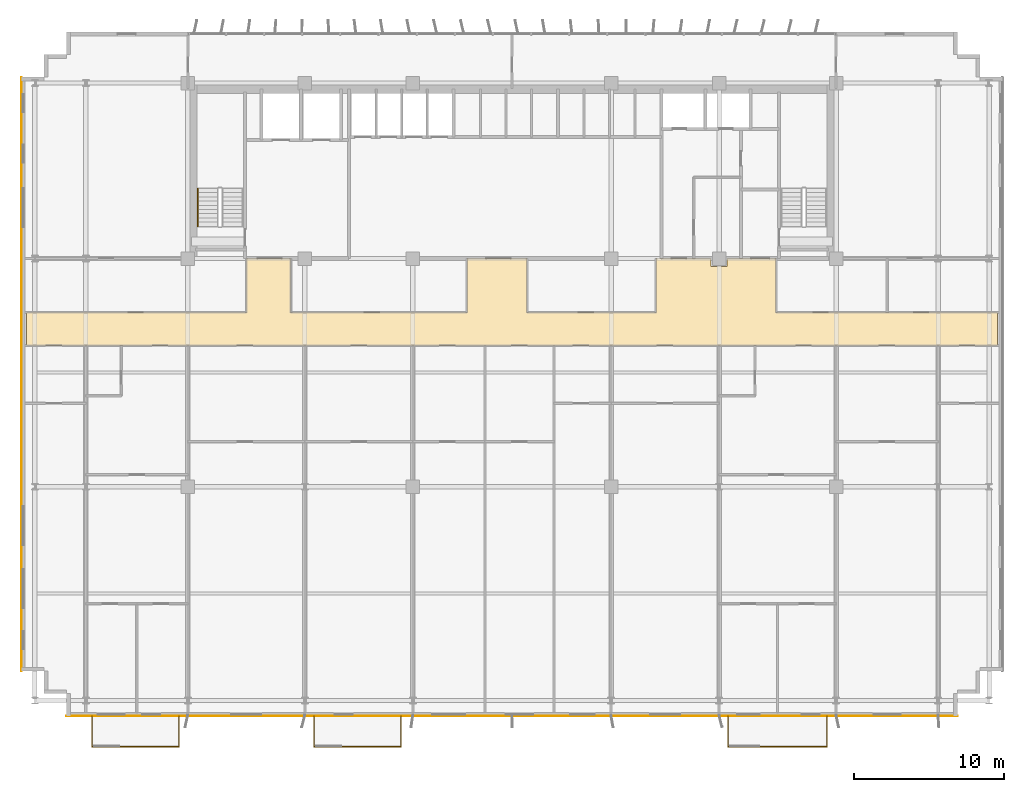
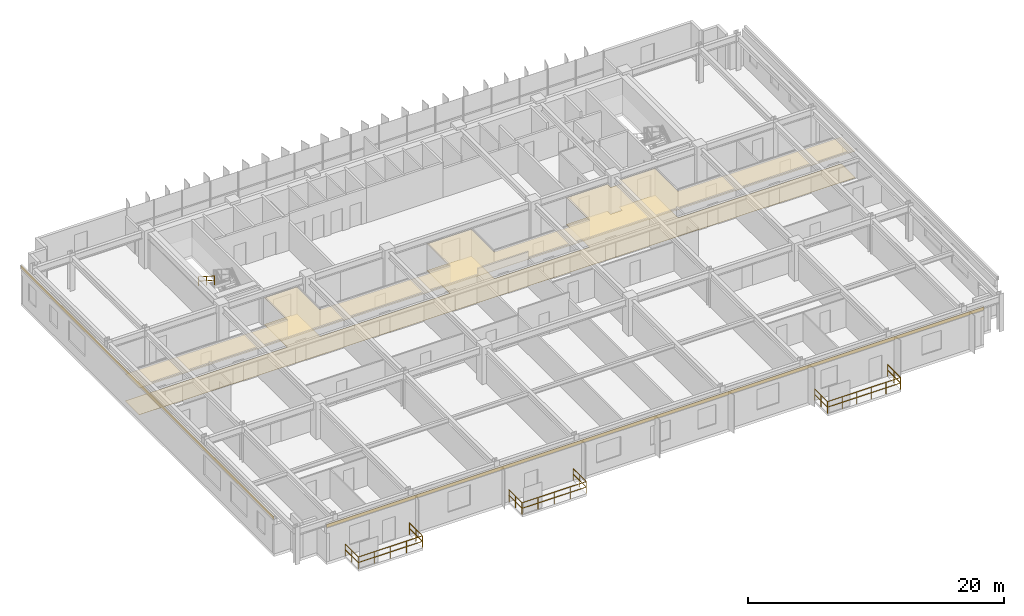
# One storey, part 20 of 22: 10 railings, 4 coverings.
"""IFC4 building model written with IfcOpenShell, lengths in metres."""

from ifc_helpers import new_model, si_unit, direction, frame, origin, origin_2d, place, context, subcontext, project, spatial, polyline, rectangle, outline, extrude, source, transform, mapped, material, layer, layer_set, type_object, element, save


model = new_model("IFC4")

# Units and contexts
model_context = context("Model", 3, precision=1e-05, world=origin(), true_north=direction((0.0, 1.0)))
body_context = subcontext(model_context, "Body", "Model", "MODEL_VIEW")
ifc_project = project(units=[si_unit("LENGTHUNIT", "METRE"), si_unit("AREAUNIT", "SQUARE_METRE"), si_unit("VOLUMEUNIT", "CUBIC_METRE"), si_unit("PLANEANGLEUNIT", "RADIAN"), si_unit("MASSUNIT", "GRAM", prefix="KILO")], contexts=[model_context])

# Site, building, storey
site_placement = place(None, origin())
site = spatial("IfcSite", under=ifc_project, at=site_placement, CompositionType="ELEMENT")
building_placement = place(site_placement, origin())
building = spatial("IfcBuilding", under=site, at=building_placement, Name="Trelvane Seafront Commons", CompositionType="ELEMENT")
storey_placement = place(building_placement, frame((0.0, 0.0, 55.89990234375)))
storey = spatial("IfcBuildingStorey", under=building, at=storey_placement, Name="L14", CompositionType="ELEMENT", Elevation=55.89990234375)

# Coverings
ifc_material_1 = material(Name="Acoustic Mineral Fibre Ceiling")
ifc_layer_1 = layer(ifc_material_1, 0.02490234375, Name="ARCH-COV-CEIL25")
ifc_layer_set_1 = layer_set([ifc_layer_1], Name="Acoustic Mineral Fibre Ceiling")
covering_type_1 = type_object("IfcCoveringType", Name="ARCH-COV-CEIL25", PredefinedType="CEILING", material=ifc_layer_set_1)
covering_1_placement = place(storey_placement, frame((0.0, 0.0, 2.550048828125)))
element("IfcCovering", 1, at=covering_1_placement, inside=storey, type_object=covering_type_1, Name="COV-CEIL-L14-08", PredefinedType="CEILING", context=body_context, shape_type="SweptSolid", body=[
    extrude(outline(polyline([(51.530029296875, 33.39990234375), (51.530029296875, 32.8701171875), (50.469970703125, 32.8701171875), (50.469970703125, 33.39990234375), (46.800048828125, 33.39990234375), (46.800048828125, 29.800048828125), (38.199951171875, 29.800048828125), (38.199951171875, 33.39990234375), (34.199951171875, 33.39990234375), (34.199951171875, 29.800048828125), (22.449951171875, 29.800048828125), (22.449951171875, 33.39990234375), (19.5, 33.39990234375), (19.5, 29.800048828125), (4.85009765625, 29.800048828125), (4.85009765625, 27.60009765625), (69.550048828125, 27.60009765625), (69.550048828125, 29.800048828125), (54.800048828125, 29.800048828125), (54.800048828125, 33.39990234375), (51.530029296875, 33.39990234375)])), origin(), (0.0, 0.0, 1.0), 0.025146484375),
])
ifc_material_2 = material(Name="Polished Terrazzo Finish")
ifc_layer_2 = layer(ifc_material_2, 0.02001953125, Name="ARCH-COV-FLOR20")
ifc_layer_set_2 = layer_set([ifc_layer_2], Name="Polished Terrazzo Finish")
covering_type_2 = type_object("IfcCoveringType", Name="ARCH-COV-FLOR20", PredefinedType="FLOORING", material=ifc_layer_set_2)
covering_2_placement = place(storey_placement, origin())
element("IfcCovering", 2, at=covering_2_placement, inside=storey, type_object=covering_type_2, Name="COV-FLOR-L14-08", PredefinedType="FLOORING", context=body_context, shape_type="SweptSolid", body=[
    extrude(outline(polyline([(51.530029296875, 33.39990234375), (51.530029296875, 32.8701171875), (50.469970703125, 32.8701171875), (50.469970703125, 33.39990234375), (46.800048828125, 33.39990234375), (46.800048828125, 29.800048828125), (38.199951171875, 29.800048828125), (38.199951171875, 33.39990234375), (34.199951171875, 33.39990234375), (34.199951171875, 29.800048828125), (22.449951171875, 29.800048828125), (22.449951171875, 33.39990234375), (19.5, 33.39990234375), (19.5, 29.800048828125), (4.85009765625, 29.800048828125), (4.85009765625, 27.60009765625), (69.550048828125, 27.60009765625), (69.550048828125, 29.800048828125), (54.800048828125, 29.800048828125), (54.800048828125, 33.39990234375), (51.530029296875, 33.39990234375)])), origin(), (0.0, 0.0, 1.0), 0.02001953125),
])

# Railings
ifc_material_3 = material(Name="Stainless steel balustrade", Category="steel")
railing_type_1 = type_object("IfcRailingType", Name="ARCH-RAIL-BAL1150", PredefinedType="BALUSTRADE", material=ifc_material_3)
railing_1_placement = place(storey_placement, frame((9.199951171875, 2.89990234375, 0.0)))
element("IfcRailing", 3, at=railing_1_placement, inside=storey, type_object=railing_type_1, Name="RL-L14-BAL0-01", PredefinedType="BALUSTRADE", context=body_context, shape_type="SweptSolid", body=[
    extrude(rectangle(XDim=0.048095703125, YDim=0.048095703125, at=origin_2d()), frame((0.0, 0.0, 1.1259765625), z_axis=(0.0, -1.0, 0.0), x_axis=(1.0, 0.0, 0.0)), (0.0, 0.0, 1.0), 2.039794921875),
    extrude(rectangle(XDim=0.048095703125, YDim=0.048095703125, at=origin_2d()), frame((0.0, 0.0, 0.597900390625), z_axis=(0.0, -1.0, 0.0), x_axis=(1.0, 0.0, 0.0)), (0.0, 0.0, 1.0), 2.039794921875),
    extrude(rectangle(XDim=0.0419921875, YDim=0.0419921875, at=origin_2d()), origin(), (0.0, 0.0, 1.0), 1.1259765625),
    extrude(rectangle(XDim=0.0419921875, YDim=0.0419921875, at=origin_2d()), frame((0.0, -1.02001953125, 0.0)), (0.0, 0.0, 1.0), 1.1259765625),
    extrude(rectangle(XDim=0.0419921875, YDim=0.0419921875, at=origin_2d()), frame((0.0, -2.039794921875, 0.0)), (0.0, 0.0, 1.0), 1.1259765625),
])
railing_2_placement = place(storey_placement, frame((9.199951171875, 0.860107421875, 0.0)))
element("IfcRailing", 4, at=railing_2_placement, inside=storey, type_object=railing_type_1, Name="RL-L14-BAL0-02", PredefinedType="BALUSTRADE", context=body_context, shape_type="SweptSolid", body=[
    extrude(rectangle(XDim=0.048095703125, YDim=0.048095703125, at=origin_2d()), frame((0.0, 0.0, 1.1259765625), z_axis=(1.0, 0.0, 0.0), x_axis=(0.0, 1.0, 0.0)), (0.0, 0.0, 1.0), 5.800048828125),
    extrude(rectangle(XDim=0.048095703125, YDim=0.048095703125, at=origin_2d()), frame((0.0, 0.0, 0.597900390625), z_axis=(1.0, 0.0, 0.0), x_axis=(0.0, 1.0, 0.0)), (0.0, 0.0, 1.0), 5.800048828125),
    extrude(rectangle(XDim=0.0419921875, YDim=0.0419921875, at=origin_2d()), origin(), (0.0, 0.0, 1.0), 1.1259765625),
    extrude(rectangle(XDim=0.0419921875, YDim=0.0419921875, at=origin_2d()), frame((1.449951171875, 0.0, 0.0)), (0.0, 0.0, 1.0), 1.1259765625),
    extrude(rectangle(XDim=0.0419921875, YDim=0.0419921875, at=origin_2d()), frame((2.89990234375, 0.0, 0.0)), (0.0, 0.0, 1.0), 1.1259765625),
    extrude(rectangle(XDim=0.0419921875, YDim=0.0419921875, at=origin_2d()), frame((4.35009765625, 0.0, 0.0)), (0.0, 0.0, 1.0), 1.1259765625),
    extrude(rectangle(XDim=0.0419921875, YDim=0.0419921875, at=origin_2d()), frame((5.800048828125, 0.0, 0.0)), (0.0, 0.0, 1.0), 1.1259765625),
])
railing_3_placement = place(storey_placement, frame((15.0, 0.860107421875, 0.0)))
element("IfcRailing", 5, at=railing_3_placement, inside=storey, type_object=railing_type_1, Name="RL-L14-BAL0-03", PredefinedType="BALUSTRADE", context=body_context, shape_type="SweptSolid", body=[
    extrude(rectangle(XDim=0.048095703125, YDim=0.048095703125, at=origin_2d()), frame((0.0, 0.0, 1.1259765625), z_axis=(0.0, 1.0, 0.0), x_axis=(-1.0, 0.0, 0.0)), (0.0, 0.0, 1.0), 2.039794921875),
    extrude(rectangle(XDim=0.048095703125, YDim=0.048095703125, at=origin_2d()), frame((0.0, 0.0, 0.597900390625), z_axis=(0.0, 1.0, 0.0), x_axis=(-1.0, 0.0, 0.0)), (0.0, 0.0, 1.0), 2.039794921875),
    extrude(rectangle(XDim=0.0419921875, YDim=0.0419921875, at=origin_2d()), origin(), (0.0, 0.0, 1.0), 1.1259765625),
    extrude(rectangle(XDim=0.0419921875, YDim=0.0419921875, at=origin_2d()), frame((0.0, 1.02001953125, 0.0)), (0.0, 0.0, 1.0), 1.1259765625),
    extrude(rectangle(XDim=0.0419921875, YDim=0.0419921875, at=origin_2d()), frame((0.0, 2.039794921875, 0.0)), (0.0, 0.0, 1.0), 1.1259765625),
])
railing_4_placement = place(storey_placement, frame((24.0, 2.89990234375, 0.0)))
element("IfcRailing", 6, at=railing_4_placement, inside=storey, type_object=railing_type_1, Name="RL-L14-BAL1-01", PredefinedType="BALUSTRADE", context=body_context, shape_type="SweptSolid", body=[
    extrude(rectangle(XDim=0.048095703125, YDim=0.048095703125, at=origin_2d()), frame((0.0, 0.0, 1.1259765625), z_axis=(0.0, -1.0, 0.0), x_axis=(1.0, 0.0, 0.0)), (0.0, 0.0, 1.0), 2.039794921875),
    extrude(rectangle(XDim=0.048095703125, YDim=0.048095703125, at=origin_2d()), frame((0.0, 0.0, 0.597900390625), z_axis=(0.0, -1.0, 0.0), x_axis=(1.0, 0.0, 0.0)), (0.0, 0.0, 1.0), 2.039794921875),
    extrude(rectangle(XDim=0.0419921875, YDim=0.0419921875, at=origin_2d()), origin(), (0.0, 0.0, 1.0), 1.1259765625),
    extrude(rectangle(XDim=0.0419921875, YDim=0.0419921875, at=origin_2d()), frame((0.0, -1.02001953125, 0.0)), (0.0, 0.0, 1.0), 1.1259765625),
    extrude(rectangle(XDim=0.0419921875, YDim=0.0419921875, at=origin_2d()), frame((0.0, -2.039794921875, 0.0)), (0.0, 0.0, 1.0), 1.1259765625),
])
railing_5_placement = place(storey_placement, frame((24.0, 0.860107421875, 0.0)))
element("IfcRailing", 7, at=railing_5_placement, inside=storey, type_object=railing_type_1, Name="RL-L14-BAL1-02", PredefinedType="BALUSTRADE", context=body_context, shape_type="SweptSolid", body=[
    extrude(rectangle(XDim=0.048095703125, YDim=0.048095703125, at=origin_2d()), frame((0.0, 0.0, 1.1259765625), z_axis=(1.0, 0.0, 0.0), x_axis=(0.0, 1.0, 0.0)), (0.0, 0.0, 1.0), 5.800048828125),
    extrude(rectangle(XDim=0.048095703125, YDim=0.048095703125, at=origin_2d()), frame((0.0, 0.0, 0.597900390625), z_axis=(1.0, 0.0, 0.0), x_axis=(0.0, 1.0, 0.0)), (0.0, 0.0, 1.0), 5.800048828125),
    extrude(rectangle(XDim=0.0419921875, YDim=0.0419921875, at=origin_2d()), origin(), (0.0, 0.0, 1.0), 1.1259765625),
    extrude(rectangle(XDim=0.0419921875, YDim=0.0419921875, at=origin_2d()), frame((1.449951171875, 0.0, 0.0)), (0.0, 0.0, 1.0), 1.1259765625),
    extrude(rectangle(XDim=0.0419921875, YDim=0.0419921875, at=origin_2d()), frame((2.89990234375, 0.0, 0.0)), (0.0, 0.0, 1.0), 1.1259765625),
    extrude(rectangle(XDim=0.0419921875, YDim=0.0419921875, at=origin_2d()), frame((4.35009765625, 0.0, 0.0)), (0.0, 0.0, 1.0), 1.1259765625),
    extrude(rectangle(XDim=0.0419921875, YDim=0.0419921875, at=origin_2d()), frame((5.800048828125, 0.0, 0.0)), (0.0, 0.0, 1.0), 1.1259765625),
])
railing_6_placement = place(storey_placement, frame((29.800048828125, 0.860107421875, 0.0)))
element("IfcRailing", 8, at=railing_6_placement, inside=storey, type_object=railing_type_1, Name="RL-L14-BAL1-03", PredefinedType="BALUSTRADE", context=body_context, shape_type="SweptSolid", body=[
    extrude(rectangle(XDim=0.048095703125, YDim=0.048095703125, at=origin_2d()), frame((0.0, 0.0, 1.1259765625), z_axis=(0.0, 1.0, 0.0), x_axis=(-1.0, 0.0, 0.0)), (0.0, 0.0, 1.0), 2.039794921875),
    extrude(rectangle(XDim=0.048095703125, YDim=0.048095703125, at=origin_2d()), frame((0.0, 0.0, 0.597900390625), z_axis=(0.0, 1.0, 0.0), x_axis=(-1.0, 0.0, 0.0)), (0.0, 0.0, 1.0), 2.039794921875),
    extrude(rectangle(XDim=0.0419921875, YDim=0.0419921875, at=origin_2d()), origin(), (0.0, 0.0, 1.0), 1.1259765625),
    extrude(rectangle(XDim=0.0419921875, YDim=0.0419921875, at=origin_2d()), frame((0.0, 1.02001953125, 0.0)), (0.0, 0.0, 1.0), 1.1259765625),
    extrude(rectangle(XDim=0.0419921875, YDim=0.0419921875, at=origin_2d()), frame((0.0, 2.039794921875, 0.0)), (0.0, 0.0, 1.0), 1.1259765625),
])
railing_7_placement = place(storey_placement, frame((51.60009765625, 2.89990234375, 0.0)))
element("IfcRailing", 9, at=railing_7_placement, inside=storey, type_object=railing_type_1, Name="RL-L14-BAL2-01", PredefinedType="BALUSTRADE", context=body_context, shape_type="SweptSolid", body=[
    extrude(rectangle(XDim=0.048095703125, YDim=0.048095703125, at=origin_2d()), frame((0.0, 0.0, 1.1259765625), z_axis=(0.0, -1.0, 0.0), x_axis=(1.0, 0.0, 0.0)), (0.0, 0.0, 1.0), 2.039794921875),
    extrude(rectangle(XDim=0.048095703125, YDim=0.048095703125, at=origin_2d()), frame((0.0, 0.0, 0.597900390625), z_axis=(0.0, -1.0, 0.0), x_axis=(1.0, 0.0, 0.0)), (0.0, 0.0, 1.0), 2.039794921875),
    extrude(rectangle(XDim=0.0419921875, YDim=0.0419921875, at=origin_2d()), origin(), (0.0, 0.0, 1.0), 1.1259765625),
    extrude(rectangle(XDim=0.0419921875, YDim=0.0419921875, at=origin_2d()), frame((0.0, -1.02001953125, 0.0)), (0.0, 0.0, 1.0), 1.1259765625),
    extrude(rectangle(XDim=0.0419921875, YDim=0.0419921875, at=origin_2d()), frame((0.0, -2.039794921875, 0.0)), (0.0, 0.0, 1.0), 1.1259765625),
])
railing_8_placement = place(storey_placement, frame((51.60009765625, 0.860107421875, 0.0)))
element("IfcRailing", 10, at=railing_8_placement, inside=storey, type_object=railing_type_1, Name="RL-L14-BAL2-02", PredefinedType="BALUSTRADE", context=body_context, shape_type="SweptSolid", body=[
    extrude(rectangle(XDim=0.048095703125, YDim=0.048095703125, at=origin_2d()), frame((0.0, 0.0, 1.1259765625), z_axis=(1.0, 0.0, 0.0), x_axis=(0.0, 1.0, 0.0)), (0.0, 0.0, 1.0), 6.599853515625),
    extrude(rectangle(XDim=0.048095703125, YDim=0.048095703125, at=origin_2d()), frame((0.0, 0.0, 0.597900390625), z_axis=(1.0, 0.0, 0.0), x_axis=(0.0, 1.0, 0.0)), (0.0, 0.0, 1.0), 6.599853515625),
    extrude(rectangle(XDim=0.0419921875, YDim=0.0419921875, at=origin_2d()), origin(), (0.0, 0.0, 1.0), 1.1259765625),
    extrude(rectangle(XDim=0.0419921875, YDim=0.0419921875, at=origin_2d()), frame((1.320068359375, 0.0, 0.0)), (0.0, 0.0, 1.0), 1.1259765625),
    extrude(rectangle(XDim=0.0419921875, YDim=0.0419921875, at=origin_2d()), frame((2.639892578125, 0.0, 0.0)), (0.0, 0.0, 1.0), 1.1259765625),
    extrude(rectangle(XDim=0.0419921875, YDim=0.0419921875, at=origin_2d()), frame((3.9599609375, 0.0, 0.0)), (0.0, 0.0, 1.0), 1.1259765625),
    extrude(rectangle(XDim=0.0419921875, YDim=0.0419921875, at=origin_2d()), frame((5.27978515625, 0.0, 0.0)), (0.0, 0.0, 1.0), 1.1259765625),
    extrude(rectangle(XDim=0.0419921875, YDim=0.0419921875, at=origin_2d()), frame((6.599853515625, 0.0, 0.0)), (0.0, 0.0, 1.0), 1.1259765625),
])
railing_9_placement = place(storey_placement, frame((58.199951171875, 0.860107421875, 0.0)))
element("IfcRailing", 11, at=railing_9_placement, inside=storey, type_object=railing_type_1, Name="RL-L14-BAL2-03", PredefinedType="BALUSTRADE", context=body_context, shape_type="SweptSolid", body=[
    extrude(rectangle(XDim=0.048095703125, YDim=0.048095703125, at=origin_2d()), frame((0.0, 0.0, 1.1259765625), z_axis=(0.0, 1.0, 0.0), x_axis=(-1.0, 0.0, 0.0)), (0.0, 0.0, 1.0), 2.039794921875),
    extrude(rectangle(XDim=0.048095703125, YDim=0.048095703125, at=origin_2d()), frame((0.0, 0.0, 0.597900390625), z_axis=(0.0, 1.0, 0.0), x_axis=(-1.0, 0.0, 0.0)), (0.0, 0.0, 1.0), 2.039794921875),
    extrude(rectangle(XDim=0.0419921875, YDim=0.0419921875, at=origin_2d()), origin(), (0.0, 0.0, 1.0), 1.1259765625),
    extrude(rectangle(XDim=0.0419921875, YDim=0.0419921875, at=origin_2d()), frame((0.0, 1.02001953125, 0.0)), (0.0, 0.0, 1.0), 1.1259765625),
    extrude(rectangle(XDim=0.0419921875, YDim=0.0419921875, at=origin_2d()), frame((0.0, 2.039794921875, 0.0)), (0.0, 0.0, 1.0), 1.1259765625),
])
railing_type_2 = type_object("IfcRailingType", Name="ARCH-SRL-HAND", PredefinedType="HANDRAIL", material=ifc_material_3)
railing_10_placement = place(storey_placement, frame((16.25, 38.070068359375, 1.97998046875)))
element("IfcRailing", 12, at=railing_10_placement, inside=storey, type_object=railing_type_2, Name="L14 ST-1 stair handrail 2", PredefinedType="HANDRAIL", context=body_context, shape_type="SweptSolid", body=[
    extrude(rectangle(XDim=0.048095703125, YDim=0.048095703125, at=origin_2d()), frame((0.0, 0.0, 0.8759765625), z_axis=(0.0, -0.841162588446, 0.540782303519), x_axis=(1.0, 0.0, 0.0)), (0.0, 0.0, 1.0), 2.995849609375),
    extrude(rectangle(XDim=0.048095703125, YDim=0.048095703125, at=origin_2d()), frame((0.0, 0.0, 0.468017578125), z_axis=(0.0, -0.841162588446, 0.540782303519), x_axis=(1.0, 0.0, 0.0)), (0.0, 0.0, 1.0), 2.995849609375),
    extrude(rectangle(XDim=0.0419921875, YDim=0.0419921875, at=origin_2d()), origin(), (0.0, 0.0, 1.0), 0.8759765625),
    extrude(rectangle(XDim=0.0419921875, YDim=0.0419921875, at=origin_2d()), frame((0.0, -1.260009765625, 0.81005859375)), (0.0, 0.0, 1.0), 0.8759765625),
    extrude(rectangle(XDim=0.0419921875, YDim=0.0419921875, at=origin_2d()), frame((0.0, -2.52001953125, 1.6201171875)), (0.0, 0.0, 1.0), 0.8759765625),
])

# Coverings
ifc_material_4 = material(Name="Anodised pale-silver aluminium", Category="aluminium")
ifc_layer_3 = layer(ifc_material_4, 0.034912109375, Name="ARCH-COV-CLAD35")
ifc_layer_set_3 = layer_set([ifc_layer_3], Name="Anodised pale-silver aluminium")
covering_type_3 = type_object("IfcCoveringType", Name="ARCH-COV-CLAD35", PredefinedType="CLADDING", material=ifc_layer_set_3)
shared_shape_1 = source(origin(), body_context, "Body", "SweptSolid", [
    extrude(rectangle(XDim=39.60009765625, YDim=0.034912109375, at=origin_2d()), origin(), (0.0, 0.0, 1.0), 0.300048828125),
])
covering_3_placement = place(storey_placement, frame((4.5, 25.699951171875, 3.30029296875), z_axis=(0.0, 0.0, 1.0), x_axis=(0.0, 1.0, 0.0)))
element("IfcCovering", 13, at=covering_3_placement, inside=storey, type_object=covering_type_3, Name="CLD-L14-00066", PredefinedType="CLADDING", context=body_context, shape_type="MappedRepresentation", body=[
    mapped(shared_shape_1, transform((0.0, 0.0, 0.0), x_axis=(1.0, 0.0, 0.0), y_axis=(0.0, 1.0, 0.0), z_axis=(0.0, 0.0, 1.0), scale=1.0)),
])
shared_shape_2 = source(origin(), body_context, "Body", "SweptSolid", [
    extrude(rectangle(XDim=59.39990234375, YDim=0.034912109375, at=origin_2d()), origin(), (0.0, 0.0, 1.0), 0.300048828125),
])
covering_4_placement = place(storey_placement, frame((37.199951171875, 2.89990234375, 3.30029296875), z_axis=(0.0, 0.0, 1.0), x_axis=(-1.0, 0.0, 0.0)))
element("IfcCovering", 14, at=covering_4_placement, inside=storey, type_object=covering_type_3, Name="CLD-L14-00068", PredefinedType="CLADDING", context=body_context, shape_type="MappedRepresentation", body=[
    mapped(shared_shape_2, transform((0.0, 0.0, 0.0), x_axis=(1.0, 0.0, 0.0), y_axis=(0.0, 1.0, 0.0), z_axis=(0.0, 0.0, 1.0), scale=1.0)),
])

save(model, "model.ifc")
